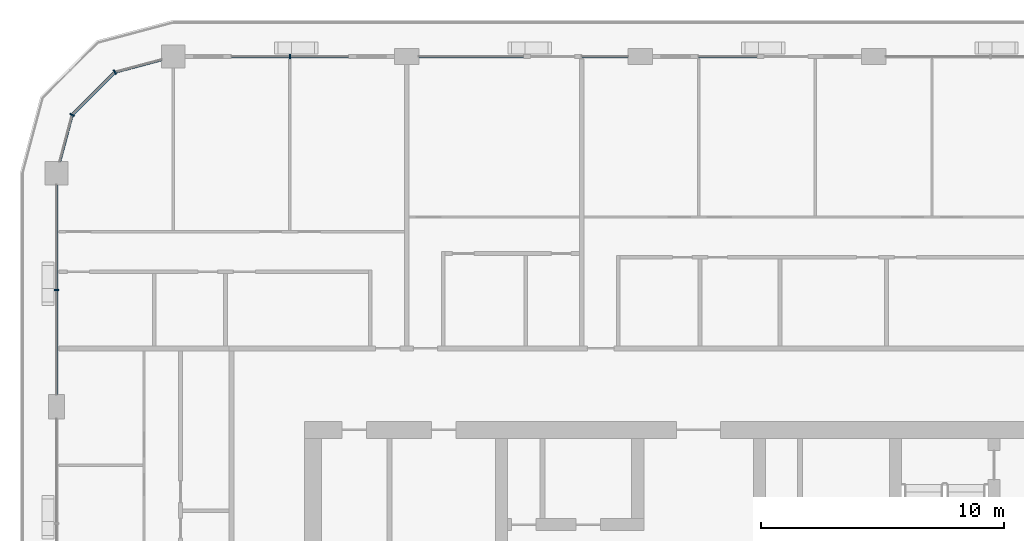
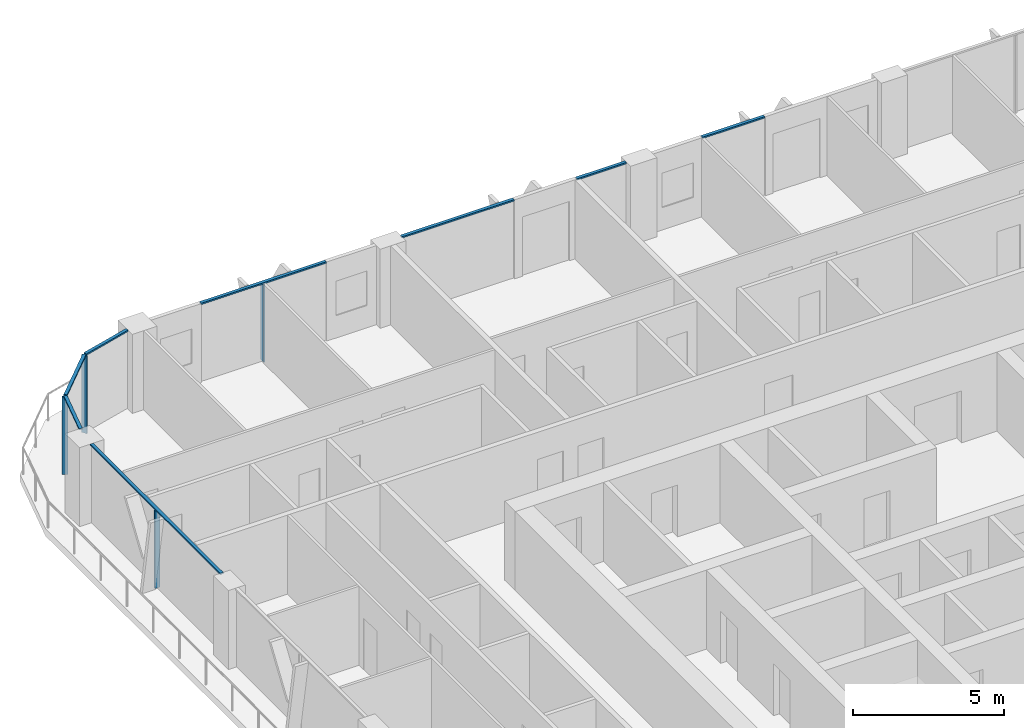
# One storey, part 5 of 23: 12 members, 5 elements without a shape of their own.
"""IFC4 building model written with IfcOpenShell, lengths in metres."""

from ifc_helpers import new_model, si_unit, direction, frame, origin, origin_2d, place, context, subcontext, project, spatial, rectangle, extrude, material, layer, layer_set, material_profile, profile_set, type_object, element, aggregate, save


model = new_model("IFC4")

# Units and contexts
model_context = context("Model", 3, precision=1e-05, world=origin(), true_north=direction((0.0, 1.0)))
body_context = subcontext(model_context, "Body", "Model", "MODEL_VIEW")
ifc_project = project(units=[si_unit("LENGTHUNIT", "METRE"), si_unit("AREAUNIT", "SQUARE_METRE"), si_unit("VOLUMEUNIT", "CUBIC_METRE"), si_unit("PLANEANGLEUNIT", "RADIAN"), si_unit("MASSUNIT", "GRAM", prefix="KILO")], contexts=[model_context])

# Site, building, storey
site_placement = place(None, origin())
site = spatial("IfcSite", under=ifc_project, at=site_placement, CompositionType="ELEMENT")
building_placement = place(site_placement, origin())
building = spatial("IfcBuilding", under=site, at=building_placement, Name="Madar Terraces", CompositionType="ELEMENT")
storey_placement = place(building_placement, frame((0.0, 0.0, 222.800048828125)))
storey = spatial("IfcBuildingStorey", under=building, at=storey_placement, Name="L58", CompositionType="ELEMENT", Elevation=222.800048828125)

# Curtain wall, member
ifc_material_1 = material(Name="Glass, ceramic frit dark grey, with black aluminium frame", Category="aluminium")
ifc_layer = layer(ifc_material_1, 0.199951171875)
ifc_layer_set = layer_set([ifc_layer], Name="Facade curtain wall, fritted glass")
curtain_wall_type = type_object("IfcCurtainWallType", Name="Facade curtain wall, fritted glass", PredefinedType="NOTDEFINED", material=ifc_layer_set)
curtain_wall_1_placement = place(storey_placement, origin())
curtain_wall_1 = element("IfcCurtainWall", 1, at=curtain_wall_1_placement, inside=storey, type_object=curtain_wall_type, Name="Outer skin curtain wall north bay 5", PredefinedType="NOTDEFINED")
ifc_material_2 = material(Name="Aluminium, black anodised", Category="aluminium")
ifc_material_profile_1 = material_profile(ifc_material_2, rectangle(XDim=0.199951171875, YDim=0.06005859375, at=origin_2d()), Name="Facade mullion 60x200")
ifc_profile_set_1 = profile_set([ifc_material_profile_1], Name="Aluminium, black anodised")
member_type_1 = type_object("IfcMemberType", Name="Facade mullion 60x200", PredefinedType="MULLION", material=ifc_profile_set_1)
member_1_placement = place(storey_placement, frame((14.39990234375, 52.800048828125, 0.0), z_axis=(0.0, 0.0, 1.0), x_axis=(0.0, -1.0, 0.0)))
member_1 = element("IfcMember", 2, at=member_1_placement, type_object=member_type_1, Name="Mullion 1", PredefinedType="MULLION", context=body_context, shape_type="SweptSolid", body=[
    extrude(rectangle(XDim=0.199951171875, YDim=0.06005859375, at=origin_2d()), origin(), (0.0, 0.0, 1.0), 3.139892578125),
])

curtain_wall_2_placement = place(storey_placement, origin())
curtain_wall_2 = element("IfcCurtainWall", 3, at=curtain_wall_2_placement, inside=storey, type_object=curtain_wall_type, Name="Outer skin curtain wall west bay 1", PredefinedType="NOTDEFINED")
member_2_placement = place(storey_placement, frame((4.800048828125, 43.199951171875, 0.0), z_axis=(0.0, 0.0, 1.0), x_axis=(1.0, 0.0, 0.0)))
member_2 = element("IfcMember", 4, at=member_2_placement, type_object=member_type_1, Name="Mullion 1", PredefinedType="MULLION", context=body_context, shape_type="SweptSolid", body=[
    extrude(rectangle(XDim=0.199951171875, YDim=0.06005859375, at=origin_2d()), origin(), (0.0, 0.0, 1.0), 3.139892578125),
])

# Curtain wall, members
curtain_wall_3_placement = place(storey_placement, origin())
curtain_wall_3 = element("IfcCurtainWall", 5, at=curtain_wall_3_placement, inside=storey, type_object=curtain_wall_type, Name="Outer skin curtain wall north-west corner", PredefinedType="NOTDEFINED")
member_3_placement = place(storey_placement, frame((7.199951171875, 52.156982421875, 0.0), z_axis=(0.0, 0.0, 1.0), x_axis=(0.499999989586, -0.866025409797, 0.0)))
member_3 = element("IfcMember", 6, at=member_3_placement, type_object=member_type_1, Name="Mullion 1", PredefinedType="MULLION", context=body_context, shape_type="SweptSolid", body=[
    extrude(rectangle(XDim=0.199951171875, YDim=0.06005859375, at=origin_2d()), origin(), (0.0, 0.0, 1.0), 3.139892578125),
])
member_4_placement = place(storey_placement, frame((5.443115234375, 50.39990234375, 0.0), z_axis=(0.0, 0.0, 1.0), x_axis=(0.866025409797, -0.499999989586, 0.0)))
member_4 = element("IfcMember", 7, at=member_4_placement, type_object=member_type_1, Name="Mullion 2", PredefinedType="MULLION", context=body_context, shape_type="SweptSolid", body=[
    extrude(rectangle(XDim=0.199951171875, YDim=0.06005859375, at=origin_2d()), origin(), (0.0, 0.0, 1.0), 3.139892578125),
])

# Curtain wall, member
curtain_wall_4_placement = place(storey_placement, origin())
curtain_wall_4 = element("IfcCurtainWall", 8, at=curtain_wall_4_placement, inside=storey, type_object=curtain_wall_type, Name="Outer skin curtain wall north bay 3", PredefinedType="NOTDEFINED")
ifc_material_3 = material(Name="Aluminium, black anodised", Category="aluminium")
ifc_material_profile_2 = material_profile(ifc_material_3, rectangle(XDim=0.1201171875, YDim=0.06005859375, at=origin_2d()), Name="Facade transom 60x120")
ifc_profile_set_2 = profile_set([ifc_material_profile_2], Name="Aluminium, black anodised")
member_type_2 = type_object("IfcMemberType", Name="Facade transom 60x120", PredefinedType="USERDEFINED", material=ifc_profile_set_2)
member_5_placement = place(storey_placement, frame((33.60009765625, 52.800048828125, 3.169921875), z_axis=(-1.0, 0.0, 0.0), x_axis=(0.0, -1.0, 0.0)))
member_5 = element("IfcMember", 9, at=member_5_placement, type_object=member_type_2, Name="Transom 1", ObjectType="TRANSOM", PredefinedType="USERDEFINED", context=body_context, shape_type="SweptSolid", body=[
    extrude(rectangle(XDim=0.1201171875, YDim=0.06005859375, at=origin_2d()), origin(), (0.0, 0.0, 1.0), 2.400146484375),
])
aggregate(curtain_wall_4, [member_5])

# Curtain wall, members
curtain_wall_5_placement = place(storey_placement, origin())
curtain_wall_5 = element("IfcCurtainWall", 10, at=curtain_wall_5_placement, inside=storey, type_object=curtain_wall_type, Name="Outer skin curtain wall north bay 4", PredefinedType="NOTDEFINED")
member_6_placement = place(storey_placement, frame((28.300048828125, 52.800048828125, 3.169921875), z_axis=(-1.0, 0.0, 0.0), x_axis=(0.0, -1.0, 0.0)))
member_6 = element("IfcMember", 11, at=member_6_placement, type_object=member_type_2, Name="Transom 1", ObjectType="TRANSOM", PredefinedType="USERDEFINED", context=body_context, shape_type="SweptSolid", body=[
    extrude(rectangle(XDim=0.1201171875, YDim=0.06005859375, at=origin_2d()), origin(), (0.0, 0.0, 1.0), 1.900146484375),
])
member_7_placement = place(storey_placement, frame((24.0, 52.800048828125, 3.169921875), z_axis=(-1.0, 0.0, 0.0), x_axis=(0.0, -1.0, 0.0)))
member_7 = element("IfcMember", 12, at=member_7_placement, type_object=member_type_2, Name="Transom 2", ObjectType="TRANSOM", PredefinedType="USERDEFINED", context=body_context, shape_type="SweptSolid", body=[
    extrude(rectangle(XDim=0.1201171875, YDim=0.06005859375, at=origin_2d()), origin(), (0.0, 0.0, 1.0), 4.300048828125),
])
aggregate(curtain_wall_5, [member_6, member_7])

# Member
member_8_placement = place(storey_placement, frame((16.800048828125, 52.800048828125, 3.169921875), z_axis=(-1.0, 0.0, 0.0), x_axis=(0.0, -1.0, 0.0)))
member_8 = element("IfcMember", 13, at=member_8_placement, type_object=member_type_2, Name="Transom 1", ObjectType="TRANSOM", PredefinedType="USERDEFINED", context=body_context, shape_type="SweptSolid", body=[
    extrude(rectangle(XDim=0.1201171875, YDim=0.06005859375, at=origin_2d()), origin(), (0.0, 0.0, 1.0), 4.800048828125),
])

aggregate(curtain_wall_1, [member_1, member_8])

member_9_placement = place(storey_placement, frame((4.800048828125, 47.52490234375, 3.169921875), z_axis=(0.0, -1.0, 0.0), x_axis=(1.0, 0.0, 0.0)))
member_9 = element("IfcMember", 14, at=member_9_placement, type_object=member_type_2, Name="Transom 1", ObjectType="TRANSOM", PredefinedType="USERDEFINED", context=body_context, shape_type="SweptSolid", body=[
    extrude(rectangle(XDim=0.1201171875, YDim=0.06005859375, at=origin_2d()), origin(), (0.0, 0.0, 1.0), 8.625),
])

aggregate(curtain_wall_2, [member_2, member_9])

member_10_placement = place(storey_placement, frame((9.125, 52.672607421875, 3.169921875), z_axis=(-0.965953602414, -0.258715360935, 0.0), x_axis=(0.258715360935, -0.965953602414, 0.0)))
member_10 = element("IfcMember", 15, at=member_10_placement, type_object=member_type_2, Name="Transom 1", ObjectType="TRANSOM", PredefinedType="USERDEFINED", context=body_context, shape_type="SweptSolid", body=[
    extrude(rectangle(XDim=0.1201171875, YDim=0.06005859375, at=origin_2d()), origin(), (0.0, 0.0, 1.0), 1.962890625),
])

member_11_placement = place(storey_placement, frame((7.1787109375, 52.1357421875, 3.169921875), z_axis=(-0.707056433593, -0.707157125196, 0.0), x_axis=(0.707157125196, -0.707056433593, 0.0)))
member_11 = element("IfcMember", 16, at=member_11_placement, type_object=member_type_2, Name="Transom 2", ObjectType="TRANSOM", PredefinedType="USERDEFINED", context=body_context, shape_type="SweptSolid", body=[
    extrude(rectangle(XDim=0.1201171875, YDim=0.06005859375, at=origin_2d()), origin(), (0.0, 0.0, 1.0), 2.424560546875),
])

member_12_placement = place(storey_placement, frame((5.435302734375, 50.37109375, 3.169921875), z_axis=(-0.258831412352, -0.96592251241, 0.0), x_axis=(0.96592251241, -0.258831412352, 0.0)))
member_12 = element("IfcMember", 17, at=member_12_placement, type_object=member_type_2, Name="Transom 3", ObjectType="TRANSOM", PredefinedType="USERDEFINED", context=body_context, shape_type="SweptSolid", body=[
    extrude(rectangle(XDim=0.1201171875, YDim=0.06005859375, at=origin_2d()), origin(), (0.0, 0.0, 1.0), 1.962890625),
])

aggregate(curtain_wall_3, [member_3, member_10, member_4, member_11, member_12])

save(model, "model.ifc")
